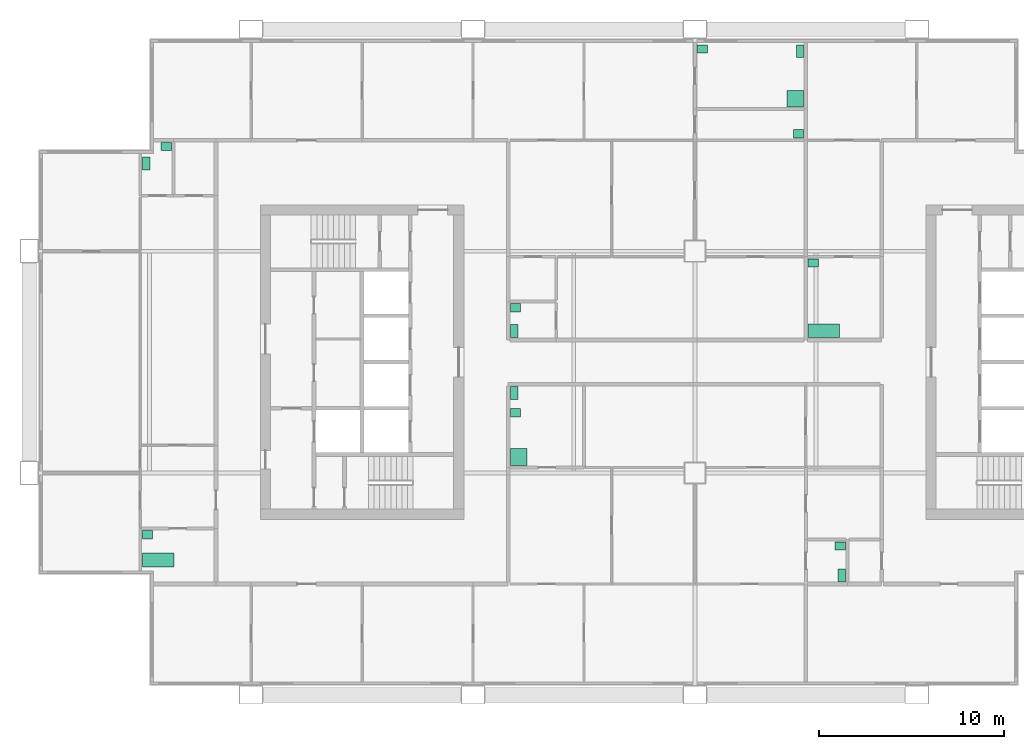
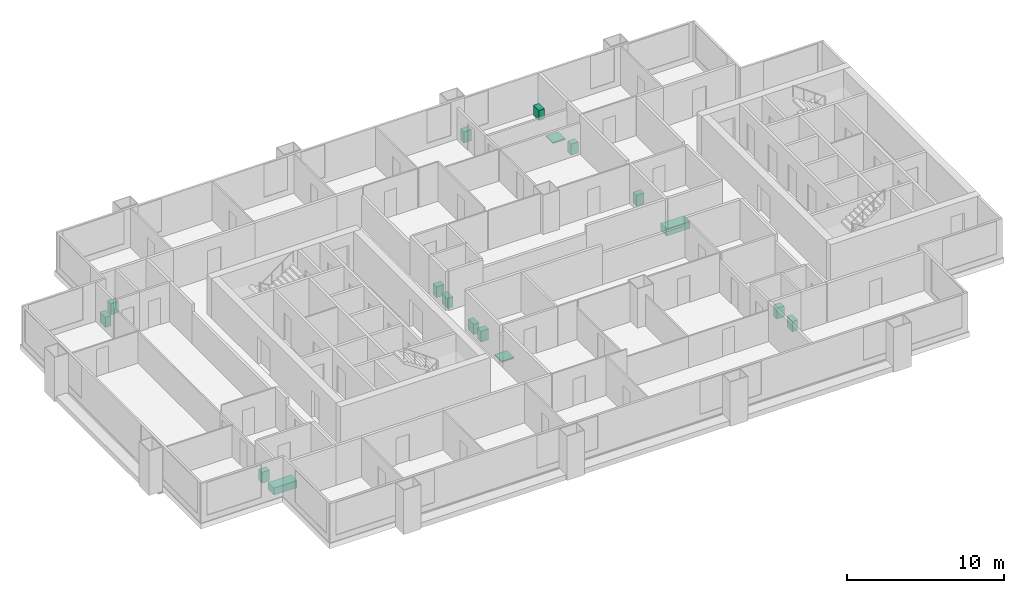
# One storey, part 9 of 9: 17 sanitary terminals.
"""IFC4 building model written with IfcOpenShell, lengths in metres."""

from ifc_helpers import new_model, si_unit, direction, frame, origin, origin_2d, place, context, subcontext, project, spatial, rectangle, extrude, material, type_object, element, save


model = new_model("IFC4")

# Units and contexts
model_context = context("Model", 3, precision=1e-05, world=origin(), true_north=direction((0.0, 1.0)))
body_context = subcontext(model_context, "Body", "Model", "MODEL_VIEW")
ifc_project = project(units=[si_unit("LENGTHUNIT", "METRE"), si_unit("AREAUNIT", "SQUARE_METRE"), si_unit("VOLUMEUNIT", "CUBIC_METRE"), si_unit("PLANEANGLEUNIT", "RADIAN"), si_unit("MASSUNIT", "GRAM", prefix="KILO")], contexts=[model_context])

# Site, building, storey
site_placement = place(None, origin())
site = spatial("IfcSite", under=ifc_project, at=site_placement, CompositionType="ELEMENT")
building_placement = place(site_placement, origin())
building = spatial("IfcBuilding", under=site, at=building_placement, Name="Kitamizu Gate Tower and Museum", CompositionType="ELEMENT")
storey_placement = place(building_placement, frame((0.0, 0.0, 178.949951171875)))
storey = spatial("IfcBuildingStorey", under=building, at=storey_placement, Name="L47", CompositionType="ELEMENT", Elevation=178.949951171875)

# Sanitary terminals
ifc_material_1 = material(Name="Acrylic")
sanitary_terminal_type_1 = type_object("IfcSanitaryTerminalType", Name="Bath", PredefinedType="BATH", material=ifc_material_1)
for number, where, z_axis, x_axis, name in (
    (1, (6.969970703125, 19.294921875, 0.0009765625), (0.0, 0.0, 1.0), (1.0, 0.0, 0.0), "Bath Bathroom 47C"),
    (2, (42.969970703125, 31.695068359375, 0.0009765625), (0.0, 0.0, 1.0), (1.0, 0.0, 0.0), "Bath Bathroom and WC 47D"),
):
    element("IfcSanitaryTerminal", number, at=place(storey_placement, frame(where, z_axis=z_axis, x_axis=x_axis)), inside=storey, type_object=sanitary_terminal_type_1, Name=name, PredefinedType="BATH", context=body_context, shape_type="SweptSolid", body=[
        extrude(rectangle(XDim=1.699951171875, YDim=0.75, at=origin_2d()), origin(), (0.0, 0.0, 1.0), 0.550048828125),
    ])
ifc_material_2 = material(Name="Acrylic")
sanitary_terminal_type_2 = type_object("IfcSanitaryTerminalType", Name="Shower tray", PredefinedType="SHOWER", material=ifc_material_2)
for number, where, z_axis, x_axis, name in (
    (3, (26.469970703125, 24.8701171875, 0.0009765625), (0.0, 0.0, 1.0), (1.0, 0.0, 0.0), "Shower tray En-suite bathroom 47A"),
    (4, (41.429931640625, 44.25, 0.0009765625), (0.0, 0.0, 1.0), (1.0, 0.0, 0.0), "Shower tray En-suite bathroom 47B"),
):
    element("IfcSanitaryTerminal", number, at=place(storey_placement, frame(where, z_axis=z_axis, x_axis=x_axis)), inside=storey, type_object=sanitary_terminal_type_2, Name=name, PredefinedType="SHOWER", context=body_context, shape_type="SweptSolid", body=[
        extrude(rectangle(XDim=0.89990234375, YDim=0.89990234375, at=origin_2d()), origin(), (0.0, 0.0, 1.0), 0.10009765625),
    ])
ifc_material_3 = material(Name="Vitreous china")
sanitary_terminal_type_3 = type_object("IfcSanitaryTerminalType", Name="Wash hand basin", PredefinedType="WASHHANDBASIN", material=ifc_material_3)
for number, where, z_axis, x_axis, name in (
    (5, (26.294921875, 27.2548828125, 0.0009765625), (0.0, 0.0, 1.0), (1.0, 0.0, 0.0), "Wash hand basin En-suite bathroom 47A"),
    (6, (43.85498046875, 20.054931640625, 0.0009765625), (0.0, 0.0, 1.0), (1.0, 0.0, 0.0), "Wash hand basin WC 47A"),
    (7, (36.39501953125, 46.93505859375, 0.0009765625), (0.0, 0.0, 1.0), (1.0, 0.0, 0.0), "Wash hand basin En-suite bathroom 47B"),
    (8, (41.60498046875, 42.344970703125, 0.0009765625), (0.0, 0.0, 1.0), (1.0, 0.0, 0.0), "Wash hand basin Wash room 47B"),
    (9, (26.294921875, 32.931884765625, 0.0009765625), (0.0, 0.0, 1.0), (1.0, 0.0, 0.0), "Wash hand basin WC 47B"),
    (10, (6.39501953125, 20.655029296875, 0.0009765625), (0.0, 0.0, 1.0), (1.0, 0.0, 0.0), "Wash hand basin Bathroom 47C"),
    (11, (7.405029296875, 41.655029296875, 0.0009765625), (0.0, 0.0, 1.0), (1.0, 0.0, 0.0), "Wash hand basin WC 47C"),
    (12, (42.39501953125, 35.35498046875, 0.0009765625), (0.0, 0.0, 1.0), (1.0, 0.0, 0.0), "Wash hand basin Bathroom and WC 47D"),
):
    element("IfcSanitaryTerminal", number, at=place(storey_placement, frame(where, z_axis=z_axis, x_axis=x_axis)), inside=storey, type_object=sanitary_terminal_type_3, Name=name, PredefinedType="WASHHANDBASIN", context=body_context, shape_type="SweptSolid", body=[
        extrude(rectangle(XDim=0.550048828125, YDim=0.449951171875, at=origin_2d()), origin(), (0.0, 0.0, 1.0), 0.85009765625),
    ])
ifc_material_4 = material(Name="Vitreous china")
sanitary_terminal_type_4 = type_object("IfcSanitaryTerminalType", Name="Water closet", PredefinedType="TOILETPAN", material=ifc_material_4)
for number, where, z_axis, x_axis, name in (
    (13, (26.219970703125, 28.330078125, 0.0009765625), (0.0, 0.0, 1.0), (1.0, 0.0, 0.0), "Water closet En-suite bathroom 47A"),
    (14, (43.929931640625, 18.469970703125, 0.0009765625), (0.0, 0.0, 1.0), (1.0, 0.0, 0.0), "Water closet WC 47A"),
    (15, (41.679931640625, 46.81005859375, 0.0009765625), (0.0, 0.0, 1.0), (1.0, 0.0, 0.0), "Water closet En-suite bathroom 47B"),
    (16, (26.219970703125, 31.669921875, 0.0009765625), (0.0, 0.0, 1.0), (1.0, 0.0, 0.0), "Water closet WC 47B"),
    (17, (6.320068359375, 40.72998046875, 0.0009765625), (0.0, 0.0, 1.0), (1.0, 0.0, 0.0), "Water closet WC 47C"),
):
    element("IfcSanitaryTerminal", number, at=place(storey_placement, frame(where, z_axis=z_axis, x_axis=x_axis)), inside=storey, type_object=sanitary_terminal_type_4, Name=name, PredefinedType="TOILETPAN", context=body_context, shape_type="SweptSolid", body=[
        extrude(rectangle(XDim=0.39990234375, YDim=0.699951171875, at=origin_2d()), origin(), (0.0, 0.0, 1.0), 0.800048828125),
    ])

save(model, "model.ifc")
